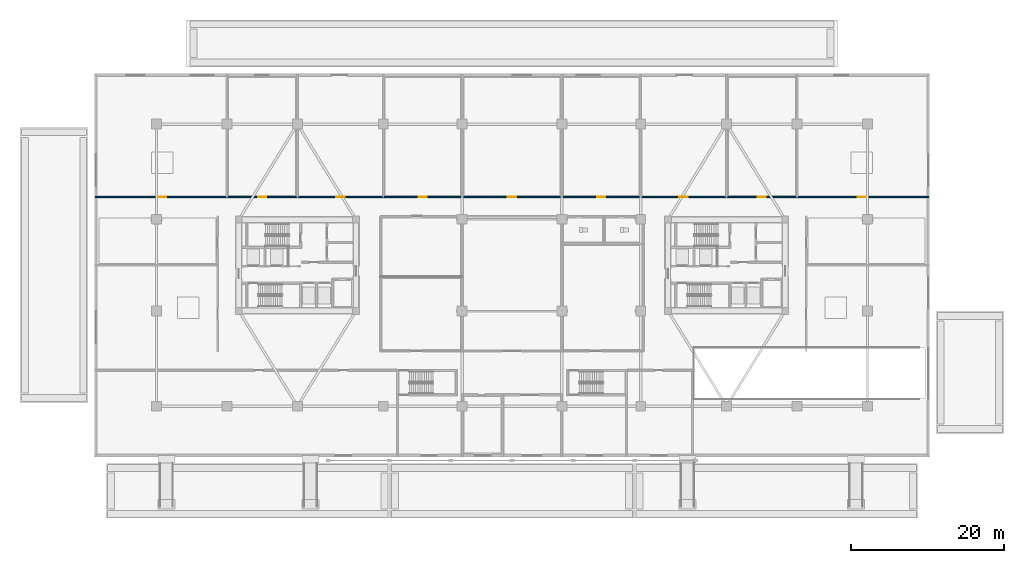
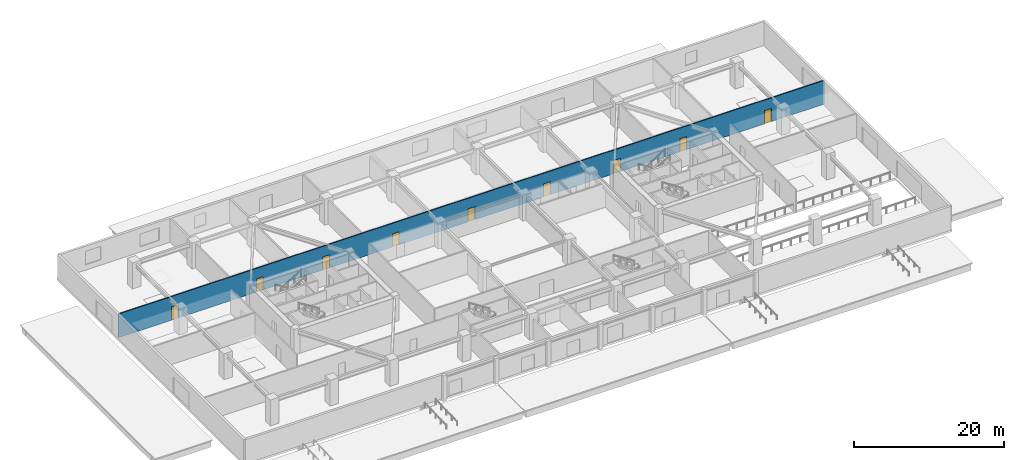
# One storey, part 8 of 22: 9 doors, 1 wall, 9 openings.
"""IFC4 building model written with IfcOpenShell, lengths in metres."""

import ifcopenshell
import ifcopenshell.guid

model = None  # the IFC model being written
_history = None  # IfcOwnerHistory: only IFC2X3 demands one
_inside = {}  # id of a spatial element -> (the spatial element, [elements in it])
_under = {}  # id of a project, library or spatial element -> (it, [spatial elements below it])
_declared = {}  # id of a project -> (the project, [libraries it declares])
_typed = {}  # id of a type object -> (the type object, [elements of that type])
_made_of = {}  # id of a material, layer set ... -> (it, [elements and type objects made of it])


def new_model(schema):
    """Start an empty IFC model of exactly this schema.

    Asked for "IFC4X3", IfcOpenShell would pick the latest addendum, in which some entities
    have other attributes; the version numbers below select the first issue.
    IFC2X3 requires an IfcOwnerHistory on every rooted entity: one is made here for all.
    """
    global model, _history
    if schema == "IFC4X3":
        model = ifcopenshell.file(schema_version=(4, 3, 0, 0))
    else:
        model = ifcopenshell.file(schema=schema)
    _inside.clear()
    _under.clear()
    _declared.clear()
    _typed.clear()
    _made_of.clear()
    _history = None
    if model.schema == "IFC2X3":
        org = make("IfcOrganization", Name="unknown")
        user = make(
            "IfcPersonAndOrganization",
            ThePerson=make("IfcPerson", FamilyName="unknown"),
            TheOrganization=org,
        )
        app = make(
            "IfcApplication",
            ApplicationDeveloper=org,
            Version="unknown",
            ApplicationFullName="unknown",
            ApplicationIdentifier="unknown",
        )
        _history = make(
            "IfcOwnerHistory",
            OwningUser=user,
            OwningApplication=app,
            ChangeAction="ADDED",
            CreationDate=0,
        )
    return model


def make(cls, **values):
    """One entity of the class cls with the attributes given. An attribute that is None is left unset."""
    return model.create_entity(
        cls, **{name: value for name, value in values.items() if value is not None}
    )


def rooted(cls, **values):
    """An entity with a GlobalId (a new one), such as an element, a storey or a relation."""
    return make(cls, GlobalId=ifcopenshell.guid.new(), OwnerHistory=_history, **values)


def si_unit(unit_type, name, prefix=None):
    """IfcSIUnit, for example si_unit("LENGTHUNIT", "METRE", prefix="MILLI")."""
    return make("IfcSIUnit", UnitType=unit_type, Prefix=prefix, Name=name)


def assignment(units):
    """IfcUnitAssignment: the units of a project."""
    return None if units is None else make("IfcUnitAssignment", Units=units)


def point(xyz):
    """IfcCartesianPoint."""
    return None if xyz is None else make("IfcCartesianPoint", Coordinates=xyz)


def direction(xyz):
    """IfcDirection."""
    return None if xyz is None else make("IfcDirection", DirectionRatios=xyz)


def frame(location, z_axis=None, x_axis=None):
    """IfcAxis2Placement3D, a coordinate frame: its origin and axes. An axis left out is left unset."""
    return make(
        "IfcAxis2Placement3D",
        Location=point(location),
        Axis=direction(z_axis),
        RefDirection=direction(x_axis),
    )


def frame_2d(location, x_axis=None):
    """IfcAxis2Placement2D, a coordinate frame in the plane: its origin and x axis."""
    return make(
        "IfcAxis2Placement2D", Location=point(location), RefDirection=direction(x_axis)
    )


def origin():
    """The frame at (0, 0, 0) with its axes left unset."""
    return frame((0.0, 0.0, 0.0))


def place(relative_to, where):
    """IfcLocalPlacement: puts the frame where relative to a parent placement (None: the world)."""
    return make(
        "IfcLocalPlacement", PlacementRelTo=relative_to, RelativePlacement=where
    )


def context(
    kind, dimensions, precision=None, world=None, true_north=None, identifier=None
):
    """IfcGeometricRepresentationContext, for example the 3D "Model" context."""
    return make(
        "IfcGeometricRepresentationContext",
        ContextIdentifier=identifier,
        ContextType=kind,
        CoordinateSpaceDimension=dimensions,
        Precision=precision,
        WorldCoordinateSystem=world,
        TrueNorth=true_north,
    )


def subcontext(parent, identifier, kind, view, scale=None):
    """IfcGeometricRepresentationSubContext, for example "Body" below "Model"."""
    return make(
        "IfcGeometricRepresentationSubContext",
        ContextIdentifier=identifier,
        ContextType=kind,
        ParentContext=parent,
        TargetScale=scale,
        TargetView=view,
    )


def project(units=None, contexts=None):
    """IfcProject with its units and contexts."""
    return rooted(
        "IfcProject",
        Name="project",
        RepresentationContexts=contexts,
        UnitsInContext=assignment(units),
    )


def spatial(cls, under=None, at=None, **own):
    """A site, building, storey or space (cls), placed at a placement, below another one or the project."""
    s = rooted(cls, ObjectPlacement=at, **own)
    if under is not None:
        _under.setdefault(under.id(), (under, []))[1].append(s)
    return s


def profile(cls, at=None, kind="AREA", **sizes):
    """A parametric profile (cls). Its sizes go by their IFC names, for example OverallWidth=200.0."""
    return make(cls, ProfileType=kind, Position=at, **sizes)


def rectangle(**sizes):
    """IfcRectangleProfileDef."""
    return profile("IfcRectangleProfileDef", **sizes)


def extrude(swept, where, along, depth):
    """IfcExtrudedAreaSolid: the profile swept, set in the frame where, extruded along a direction by depth."""
    return make(
        "IfcExtrudedAreaSolid",
        SweptArea=swept,
        Position=where,
        ExtrudedDirection=direction(along),
        Depth=depth,
    )


def shape(context_of_items, identifier, shape_type, items):
    """IfcShapeRepresentation: the items that make up one representation, for example the "Body"."""
    return make(
        "IfcShapeRepresentation",
        ContextOfItems=context_of_items,
        RepresentationIdentifier=identifier,
        RepresentationType=shape_type,
        Items=items,
    )


def source(mapping_origin, context_of_items, identifier, shape_type, items):
    """IfcRepresentationMap: a shape defined once, which mapped items show again and again."""
    return make(
        "IfcRepresentationMap",
        MappingOrigin=mapping_origin,
        MappedRepresentation=shape(context_of_items, identifier, shape_type, items),
    )


def transform(
    local_origin,
    x_axis=None,
    y_axis=None,
    z_axis=None,
    scale=None,
    scale2=None,
    scale3=None,
    uniform=True,
):
    """IfcCartesianTransformationOperator3D, or its non-uniform kind. x_axis, y_axis, z_axis: its Axis1, 2, 3."""
    if uniform:
        return make(
            "IfcCartesianTransformationOperator3D",
            Axis1=direction(x_axis),
            Axis2=direction(y_axis),
            LocalOrigin=point(local_origin),
            Scale=scale,
            Axis3=direction(z_axis),
        )
    return make(
        "IfcCartesianTransformationOperator3DnonUniform",
        Axis1=direction(x_axis),
        Axis2=direction(y_axis),
        LocalOrigin=point(local_origin),
        Scale=scale,
        Axis3=direction(z_axis),
        Scale2=scale2,
        Scale3=scale3,
    )


def mapped(mapping_source, mapping_target):
    """IfcMappedItem: shows the shape of a source again, moved by a transform."""
    return make(
        "IfcMappedItem", MappingSource=mapping_source, MappingTarget=mapping_target
    )


def material(Name=None, Category=None):
    """IfcMaterial."""
    return make("IfcMaterial", Name=Name, Category=Category)


def layer(
    of_material, thickness, ventilated=None, Name=None, Category=None, Priority=None
):
    """IfcMaterialLayer: one layer of a wall or slab, of a material (None: an air gap)."""
    return make(
        "IfcMaterialLayer",
        Material=of_material,
        LayerThickness=thickness,
        IsVentilated=ventilated,
        Name=Name,
        Category=Category,
        Priority=Priority,
    )


def layer_set(layers, Name=None):
    """IfcMaterialLayerSet."""
    return make("IfcMaterialLayerSet", MaterialLayers=layers, LayerSetName=Name)


def made_of(thing, what):
    """Note that an element or type object is made of a material, layer set ...; save() writes the relation."""
    if what is not None:
        _made_of.setdefault(what.id(), (what, []))[1].append(thing)
    return thing


def type_object(cls, material=None, **own):
    """A type object (cls), such as IfcWallType, which elements share."""
    return made_of(rooted(cls, **own), material)


def type_shapes(of_type, sources):
    """Give a type object the sources (RepresentationMaps) that its elements show as mapped items."""
    of_type.RepresentationMaps = sources


def element(
    cls,
    number,
    at=None,
    inside=None,
    cuts=None,
    type_object=None,
    material=None,
    context=None,
    identifier="Body",
    shape_type=None,
    held_by="IfcProductDefinitionShape",
    body=None,
    shapes=None,
    **own,
):
    """One element of the class cls, such as IfcWall. Its Tag is "e" and its number.

    at: its placement. inside: the storey or other place that contains it. cuts: it is an
    opening in that element (IfcRelVoidsElement). A single representation is given by context,
    identifier, shape_type and body (its items); several are given by shapes. held_by: the class
    of the entity that holds the representations. save() writes the other relations.
    """
    e = rooted(cls, Tag="e%d" % number, ObjectPlacement=at, **own)
    if body is not None:
        shapes = [shape(context, identifier, shape_type, body)]
    if shapes is not None:
        e.Representation = make(held_by, Representations=shapes)
    if inside is not None:
        _inside.setdefault(inside.id(), (inside, []))[1].append(e)
    if cuts is not None:
        rooted(
            "IfcRelVoidsElement", RelatingBuildingElement=cuts, RelatedOpeningElement=e
        )
    if type_object is not None:
        _typed.setdefault(type_object.id(), (type_object, []))[1].append(e)
    return made_of(e, material)


def fill(opening, filler):
    """IfcRelFillsElement: the door or window that sits in an opening."""
    return rooted(
        "IfcRelFillsElement",
        RelatingOpeningElement=opening,
        RelatedBuildingElement=filler,
    )


def aggregate(whole, parts):
    """IfcRelAggregates: a whole, such as a stair, and the parts it consists of."""
    return rooted("IfcRelAggregates", RelatingObject=whole, RelatedObjects=parts)


def save(model, path):
    """Write the relations noted so far, then the file.

    IfcRelAggregates (storeys below a building ...), IfcRelContainedInSpatialStructure (elements
    in a storey), IfcRelDefinesByType, IfcRelAssociatesMaterial and IfcRelDeclares: one each for
    every whole, place, type object, material and project.
    """
    for whole, parts in _under.values():
        aggregate(whole, parts)
    for where, things in _inside.values():
        rooted(
            "IfcRelContainedInSpatialStructure",
            RelatedElements=things,
            RelatingStructure=where,
        )
    for kind, things in _typed.values():
        rooted("IfcRelDefinesByType", RelatedObjects=things, RelatingType=kind)
    for what, things in _made_of.values():
        rooted("IfcRelAssociatesMaterial", RelatedObjects=things, RelatingMaterial=what)
    for by, libraries in _declared.values():
        rooted("IfcRelDeclares", RelatingContext=by, RelatedDefinitions=libraries)
    model.write(path)


model = new_model("IFC4")

# Units and contexts
model_context = context("Model", 3, precision=1e-05, world=origin(), true_north=direction((0.0, 1.0)))
body_context = subcontext(model_context, "Body", "Model", "MODEL_VIEW")
ifc_project = project(units=[si_unit("LENGTHUNIT", "METRE"), si_unit("AREAUNIT", "SQUARE_METRE"), si_unit("VOLUMEUNIT", "CUBIC_METRE"), si_unit("PLANEANGLEUNIT", "RADIAN"), si_unit("MASSUNIT", "GRAM", prefix="KILO")], contexts=[model_context])

# Site, building, storey
site_placement = place(None, origin())
site = spatial("IfcSite", under=ifc_project, at=site_placement, CompositionType="ELEMENT")
building_placement = place(site_placement, origin())
building = spatial("IfcBuilding", under=site, at=building_placement, Name="Norrkilde Senior Care Towers", CompositionType="ELEMENT")
storey_placement = place(building_placement, origin())
storey = spatial("IfcBuildingStorey", under=building, at=storey_placement, Name="L00", CompositionType="ELEMENT", Elevation=0.0)

# Wall, openings, doors
ifc_material_1 = material(Name="Gypsum Acoustic Board")
ifc_layer = layer(ifc_material_1, 0.1650390625)
ifc_layer_set = layer_set([ifc_layer], Name="Gypsum Acoustic Board")
wall_type = type_object("IfcWallType", Name="Corridor Rated Partition 165", PredefinedType="PARTITIONING", material=ifc_layer_set)
shared_shape_1 = source(origin(), body_context, "Body", "SweptSolid", [
    extrude(rectangle(XDim=108.7001953125, YDim=0.1650390625, at=frame_2d((54.35009765625, 0.0))), origin(), (0.0, 0.0, 1.0), 3.864990234375),
])
type_shapes(wall_type, [shared_shape_1])
wall_placement = place(storey_placement, frame((-54.35009765625, 8.89990234375, 0.0), z_axis=(0.0, 0.0, 1.0), x_axis=(1.0, 0.0, 0.0)))
wall = element("IfcWall", 1, at=wall_placement, inside=storey, type_object=wall_type, Name="WL-INT-L00-POD-NPS", PredefinedType="PARTITIONING", context=body_context, shape_type="MappedRepresentation", body=[
    mapped(shared_shape_1, transform((0.0, 0.0, 0.0), x_axis=(1.0, 0.0, 0.0), y_axis=(0.0, 1.0, 0.0), z_axis=(0.0, 0.0, 1.0), scale=1.0)),
])
opening_1_placement = place(wall_placement, frame((8.175048828125, 0.0, 0.0)))
opening_1 = element("IfcOpeningElement", 2, at=opening_1_placement, cuts=wall, Name="Opening D-06", PredefinedType="OPENING", context=body_context, shape_type="SweptSolid", body=[
    extrude(rectangle(XDim=1.050048828125, YDim=2.14990234375, at=frame_2d((0.52490234375, 1.074951171875))), frame((0.0, 0.092529296875, 0.0), z_axis=(0.0, -1.0, 0.0), x_axis=(1.0, 0.0, 0.0)), (0.0, 0.0, 1.0), 0.18505859375),
])
opening_2_placement = place(wall_placement, frame((21.22509765625, 0.0, 0.0)))
opening_2 = element("IfcOpeningElement", 3, at=opening_2_placement, cuts=wall, Name="Opening D-06", PredefinedType="OPENING", context=body_context, shape_type="SweptSolid", body=[
    extrude(rectangle(XDim=1.050048828125, YDim=2.14990234375, at=frame_2d((0.52490234375, 1.074951171875))), frame((0.0, 0.092529296875, 0.0), z_axis=(0.0, -1.0, 0.0), x_axis=(1.0, 0.0, 0.0)), (0.0, 0.0, 1.0), 0.18505859375),
])
opening_3_placement = place(wall_placement, frame((31.39990234375, 0.0, 0.0)))
opening_3 = element("IfcOpeningElement", 4, at=opening_3_placement, cuts=wall, Name="Opening D-03", PredefinedType="OPENING", context=body_context, shape_type="SweptSolid", body=[
    extrude(rectangle(XDim=1.10009765625, YDim=2.14990234375, at=frame_2d((0.550048828125, 1.074951171875))), frame((0.0, 0.092529296875, 0.0), z_axis=(0.0, -1.0, 0.0), x_axis=(1.0, 0.0, 0.0)), (0.0, 0.0, 1.0), 0.18505859375),
])
opening_4_placement = place(wall_placement, frame((42.175048828125, 0.0, 0.0)))
opening_4 = element("IfcOpeningElement", 5, at=opening_4_placement, cuts=wall, Name="Opening D-06", PredefinedType="OPENING", context=body_context, shape_type="SweptSolid", body=[
    extrude(rectangle(XDim=1.050048828125, YDim=2.14990234375, at=frame_2d((0.52490234375, 1.074951171875))), frame((0.0, 0.092529296875, 0.0), z_axis=(0.0, -1.0, 0.0), x_axis=(1.0, 0.0, 0.0)), (0.0, 0.0, 1.0), 0.18505859375),
])
opening_5_placement = place(wall_placement, frame((53.824951171875, 0.0, 0.0)))
opening_5 = element("IfcOpeningElement", 6, at=opening_5_placement, cuts=wall, Name="Opening D-06", PredefinedType="OPENING", context=body_context, shape_type="SweptSolid", body=[
    extrude(rectangle(XDim=1.050048828125, YDim=2.14990234375, at=frame_2d((0.52490234375, 1.074951171875))), frame((0.0, 0.092529296875, 0.0), z_axis=(0.0, -1.0, 0.0), x_axis=(1.0, 0.0, 0.0)), (0.0, 0.0, 1.0), 0.18505859375),
])
opening_6_placement = place(wall_placement, frame((65.47509765625, 0.0, 0.0)))
opening_6 = element("IfcOpeningElement", 7, at=opening_6_placement, cuts=wall, Name="Opening D-06", PredefinedType="OPENING", context=body_context, shape_type="SweptSolid", body=[
    extrude(rectangle(XDim=1.050048828125, YDim=2.14990234375, at=frame_2d((0.52490234375, 1.074951171875))), frame((0.0, 0.092529296875, 0.0), z_axis=(0.0, -1.0, 0.0), x_axis=(1.0, 0.0, 0.0)), (0.0, 0.0, 1.0), 0.18505859375),
])
opening_7_placement = place(wall_placement, frame((76.199951171875, 0.0, 0.0)))
opening_7 = element("IfcOpeningElement", 8, at=opening_7_placement, cuts=wall, Name="Opening D-03", PredefinedType="OPENING", context=body_context, shape_type="SweptSolid", body=[
    extrude(rectangle(XDim=1.10009765625, YDim=2.14990234375, at=frame_2d((0.550048828125, 1.074951171875))), frame((0.0, 0.092529296875, 0.0), z_axis=(0.0, -1.0, 0.0), x_axis=(1.0, 0.0, 0.0)), (0.0, 0.0, 1.0), 0.18505859375),
])
opening_8_placement = place(wall_placement, frame((86.425048828125, 0.0, 0.0)))
opening_8 = element("IfcOpeningElement", 9, at=opening_8_placement, cuts=wall, Name="Opening D-06", PredefinedType="OPENING", context=body_context, shape_type="SweptSolid", body=[
    extrude(rectangle(XDim=1.050048828125, YDim=2.14990234375, at=frame_2d((0.52490234375, 1.074951171875))), frame((0.0, 0.092529296875, 0.0), z_axis=(0.0, -1.0, 0.0), x_axis=(1.0, 0.0, 0.0)), (0.0, 0.0, 1.0), 0.18505859375),
])
opening_9_placement = place(wall_placement, frame((99.47509765625, 0.0, 0.0)))
opening_9 = element("IfcOpeningElement", 10, at=opening_9_placement, cuts=wall, Name="Opening D-06", PredefinedType="OPENING", context=body_context, shape_type="SweptSolid", body=[
    extrude(rectangle(XDim=1.050048828125, YDim=2.14990234375, at=frame_2d((0.52490234375, 1.074951171875))), frame((0.0, 0.092529296875, 0.0), z_axis=(0.0, -1.0, 0.0), x_axis=(1.0, 0.0, 0.0)), (0.0, 0.0, 1.0), 0.18505859375),
])
ifc_material_2 = material(Name="Galvanised Painted Steel", Category="steel")
door_type_1 = type_object("IfcDoorType", Name="Stairwell Protected Fire Door 1100x2150", OperationType="NOTDEFINED", PredefinedType="DOOR", material=ifc_material_2)
shared_shape_2 = source(origin(), body_context, "Body", "SweptSolid", [
    extrude(rectangle(XDim=1.10009765625, YDim=2.14990234375, at=frame_2d((0.550048828125, 1.074951171875))), frame((0.0, 0.02490234375, 0.0), z_axis=(0.0, -1.0, 0.0), x_axis=(1.0, 0.0, 0.0)), (0.0, 0.0, 1.0), 0.050048828125),
])
type_shapes(door_type_1, [shared_shape_2])
door_1_placement = place(opening_3_placement, frame((1.10009765625, 0.0, 0.0), z_axis=(0.0, 0.0, 1.0), x_axis=(-1.0, 0.0, 0.0)))
door_1 = element("IfcDoor", 11, at=door_1_placement, inside=storey, type_object=door_type_1, Name="L00 North-West Exit Passageway Fire Door", OperationType="SINGLE_SWING_LEFT", OverallHeight=2.14990234375, OverallWidth=1.10009765625, PredefinedType="DOOR", context=body_context, shape_type="MappedRepresentation", body=[
    mapped(shared_shape_2, transform((0.0, 0.0, 0.0), x_axis=(1.0, 0.0, 0.0), y_axis=(0.0, 1.0, 0.0), z_axis=(0.0, 0.0, 1.0), scale=1.0)),
])
fill(opening_3, door_1)
door_2_placement = place(opening_7_placement, frame((1.10009765625, 0.0, 0.0), z_axis=(0.0, 0.0, 1.0), x_axis=(-1.0, 0.0, 0.0)))
door_2 = element("IfcDoor", 12, at=door_2_placement, inside=storey, type_object=door_type_1, Name="L00 North-East Exit Passageway Fire Door", OperationType="SINGLE_SWING_RIGHT", OverallHeight=2.14990234375, OverallWidth=1.10009765625, PredefinedType="DOOR", context=body_context, shape_type="MappedRepresentation", body=[
    mapped(shared_shape_2, transform((0.0, 0.0, 0.0), x_axis=(1.0, 0.0, 0.0), y_axis=(0.0, 1.0, 0.0), z_axis=(0.0, 0.0, 1.0), scale=1.0)),
])
fill(opening_7, door_2)
ifc_material_3 = material(Name="Nordic Ash Timber", Category="wood")
door_type_2 = type_object("IfcDoorType", Name="Apartment Entrance Fire Door 1050x2150", OperationType="NOTDEFINED", PredefinedType="DOOR", material=ifc_material_3)
shared_shape_3 = source(origin(), body_context, "Body", "SweptSolid", [
    extrude(rectangle(XDim=1.050048828125, YDim=2.14990234375, at=frame_2d((0.52490234375, 1.074951171875))), frame((0.0, 0.02490234375, 0.0), z_axis=(0.0, -1.0, 0.0), x_axis=(1.0, 0.0, 0.0)), (0.0, 0.0, 1.0), 0.050048828125),
])
type_shapes(door_type_2, [shared_shape_3])
door_3_placement = place(opening_1_placement, origin())
door_3 = element("IfcDoor", 13, at=door_3_placement, inside=storey, type_object=door_type_2, Name="L00 North Suite 1 Door", OperationType="SINGLE_SWING_LEFT", OverallHeight=2.14990234375, OverallWidth=1.050048828125, PredefinedType="DOOR", context=body_context, shape_type="MappedRepresentation", body=[
    mapped(shared_shape_3, transform((0.0, 0.0, 0.0), x_axis=(1.0, 0.0, 0.0), y_axis=(0.0, 1.0, 0.0), z_axis=(0.0, 0.0, 1.0), scale=1.0)),
])
fill(opening_1, door_3)
door_4_placement = place(opening_2_placement, origin())
door_4 = element("IfcDoor", 14, at=door_4_placement, inside=storey, type_object=door_type_2, Name="L00 North Suite 2 Door", OperationType="SINGLE_SWING_RIGHT", OverallHeight=2.14990234375, OverallWidth=1.050048828125, PredefinedType="DOOR", context=body_context, shape_type="MappedRepresentation", body=[
    mapped(shared_shape_3, transform((0.0, 0.0, 0.0), x_axis=(1.0, 0.0, 0.0), y_axis=(0.0, 1.0, 0.0), z_axis=(0.0, 0.0, 1.0), scale=1.0)),
])
fill(opening_2, door_4)
door_5_placement = place(opening_4_placement, origin())
door_5 = element("IfcDoor", 15, at=door_5_placement, inside=storey, type_object=door_type_2, Name="L00 North Suite 4 Door", OperationType="SINGLE_SWING_RIGHT", OverallHeight=2.14990234375, OverallWidth=1.050048828125, PredefinedType="DOOR", context=body_context, shape_type="MappedRepresentation", body=[
    mapped(shared_shape_3, transform((0.0, 0.0, 0.0), x_axis=(1.0, 0.0, 0.0), y_axis=(0.0, 1.0, 0.0), z_axis=(0.0, 0.0, 1.0), scale=1.0)),
])
fill(opening_4, door_5)
door_6_placement = place(opening_5_placement, origin())
door_6 = element("IfcDoor", 16, at=door_6_placement, inside=storey, type_object=door_type_2, Name="L00 North Suite 5 Door", OperationType="SINGLE_SWING_LEFT", OverallHeight=2.14990234375, OverallWidth=1.050048828125, PredefinedType="DOOR", context=body_context, shape_type="MappedRepresentation", body=[
    mapped(shared_shape_3, transform((0.0, 0.0, 0.0), x_axis=(1.0, 0.0, 0.0), y_axis=(0.0, 1.0, 0.0), z_axis=(0.0, 0.0, 1.0), scale=1.0)),
])
fill(opening_5, door_6)
door_7_placement = place(opening_6_placement, origin())
door_7 = element("IfcDoor", 17, at=door_7_placement, inside=storey, type_object=door_type_2, Name="L00 North Suite 6 Door", OperationType="SINGLE_SWING_RIGHT", OverallHeight=2.14990234375, OverallWidth=1.050048828125, PredefinedType="DOOR", context=body_context, shape_type="MappedRepresentation", body=[
    mapped(shared_shape_3, transform((0.0, 0.0, 0.0), x_axis=(1.0, 0.0, 0.0), y_axis=(0.0, 1.0, 0.0), z_axis=(0.0, 0.0, 1.0), scale=1.0)),
])
fill(opening_6, door_7)
door_8_placement = place(opening_8_placement, origin())
door_8 = element("IfcDoor", 18, at=door_8_placement, inside=storey, type_object=door_type_2, Name="L00 North Suite 8 Door", OperationType="SINGLE_SWING_RIGHT", OverallHeight=2.14990234375, OverallWidth=1.050048828125, PredefinedType="DOOR", context=body_context, shape_type="MappedRepresentation", body=[
    mapped(shared_shape_3, transform((0.0, 0.0, 0.0), x_axis=(1.0, 0.0, 0.0), y_axis=(0.0, 1.0, 0.0), z_axis=(0.0, 0.0, 1.0), scale=1.0)),
])
fill(opening_8, door_8)
door_9_placement = place(opening_9_placement, origin())
door_9 = element("IfcDoor", 19, at=door_9_placement, inside=storey, type_object=door_type_2, Name="L00 North Suite 9 Door", OperationType="SINGLE_SWING_LEFT", OverallHeight=2.14990234375, OverallWidth=1.050048828125, PredefinedType="DOOR", context=body_context, shape_type="MappedRepresentation", body=[
    mapped(shared_shape_3, transform((0.0, 0.0, 0.0), x_axis=(1.0, 0.0, 0.0), y_axis=(0.0, 1.0, 0.0), z_axis=(0.0, 0.0, 1.0), scale=1.0)),
])
fill(opening_9, door_9)

save(model, "model.ifc")
